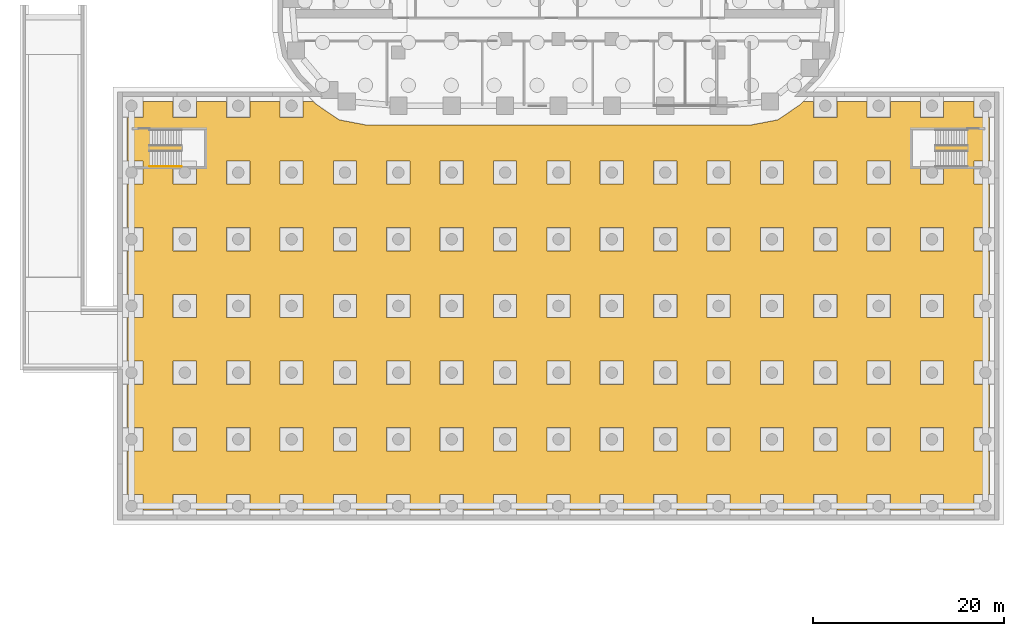
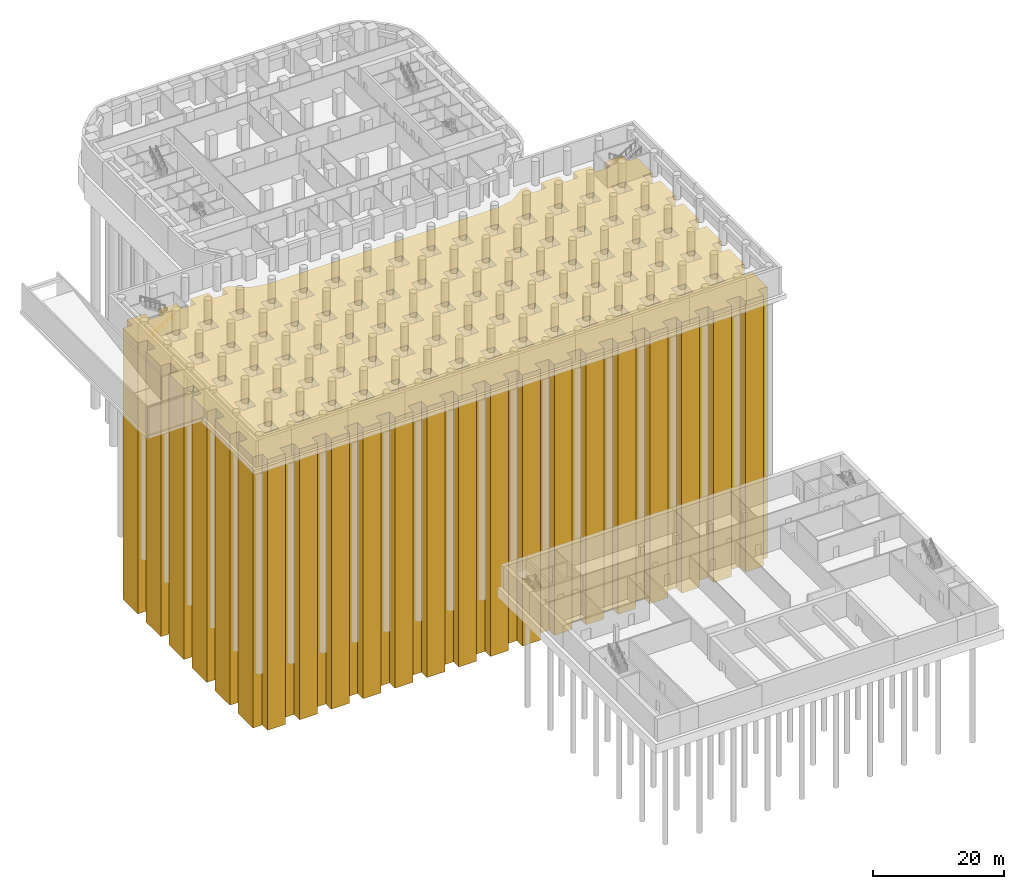
# One storey, part 18 of 23: 1 covering, 1 railing.
"""IFC4 building model written with IfcOpenShell, lengths in metres."""

from ifc_helpers import new_model, si_unit, direction, frame, origin, origin_2d, place, context, subcontext, project, spatial, polyline, circle, outline, extrude, material, layer, layer_set, type_object, element, save


model = new_model("IFC4")

# Units and contexts
model_context = context("Model", 3, precision=1e-05, world=origin(), true_north=direction((0.0, 1.0)))
body_context = subcontext(model_context, "Body", "Model", "MODEL_VIEW")
ifc_project = project(units=[si_unit("LENGTHUNIT", "METRE"), si_unit("AREAUNIT", "SQUARE_METRE"), si_unit("VOLUMEUNIT", "CUBIC_METRE"), si_unit("PLANEANGLEUNIT", "RADIAN"), si_unit("MASSUNIT", "GRAM", prefix="KILO")], contexts=[model_context])

# Site, building, storey
site_placement = place(None, origin())
site = spatial("IfcSite", under=ifc_project, at=site_placement, CompositionType="ELEMENT")
building_placement = place(site_placement, origin())
building = spatial("IfcBuilding", under=site, at=building_placement, Name="Kiln Ring Residences", CompositionType="ELEMENT")
storey_placement = place(building_placement, frame((0.0, 0.0, -4.5)))
storey = spatial("IfcBuildingStorey", under=building, at=storey_placement, Name="B1", CompositionType="ELEMENT", Elevation=-4.5)

# Covering
ifc_material_1 = material(Name="Compacted fill and subsoil")
ifc_layer = layer(ifc_material_1, 1.0)
ifc_layer_set = layer_set([ifc_layer], Name="COMPACTED FILL AND SUBSOIL")
covering_type = type_object("IfcCoveringType", Name="COMPACTED FILL AND SUBSOIL", PredefinedType="USERDEFINED", material=ifc_layer_set)
covering_placement = place(storey_placement, frame((0.0, 0.0, -50.85009765625)))
element("IfcCovering", 1, at=covering_placement, inside=storey, type_object=covering_type, Name="Compacted fill and subsoil", ObjectType="SITE GROUND", PredefinedType="USERDEFINED", context=body_context, shape_type="SweptSolid", body=[
    extrude(outline(polyline([(-37.97998046875, -63.179931640625), (-37.97998046875, -64.830078125), (-34.820068359375, -64.830078125), (-34.820068359375, -63.179931640625), (-32.3798828125, -63.179931640625), (-32.3798828125, -64.830078125), (-29.219970703125, -64.830078125), (-29.219970703125, -63.179931640625), (-26.780029296875, -63.179931640625), (-26.780029296875, -64.830078125), (-23.6201171875, -64.830078125), (-23.6201171875, -63.179931640625), (-21.179931640625, -63.179931640625), (-21.179931640625, -64.830078125), (-18.02001953125, -64.830078125), (-18.02001953125, -63.179931640625), (-15.580078125, -63.179931640625), (-15.580078125, -64.830078125), (-12.419921875, -64.830078125), (-12.419921875, -63.179931640625), (-9.97998046875, -63.179931640625), (-9.97998046875, -64.830078125), (-6.820068359375, -64.830078125), (-6.820068359375, -63.179931640625), (-4.3798828125, -63.179931640625), (-4.3798828125, -64.830078125), (-1.219970703125, -64.830078125), (-1.219970703125, -63.179931640625), (1.219970703125, -63.179931640625), (1.219970703125, -64.830078125), (4.3798828125, -64.830078125), (4.3798828125, -63.179931640625), (6.820068359375, -63.179931640625), (6.820068359375, -64.830078125), (9.97998046875, -64.830078125), (9.97998046875, -63.179931640625), (12.419921875, -63.179931640625), (12.419921875, -64.830078125), (15.580078125, -64.830078125), (15.580078125, -63.179931640625), (18.02001953125, -63.179931640625), (18.02001953125, -64.830078125), (21.179931640625, -64.830078125), (21.179931640625, -63.179931640625), (23.6201171875, -63.179931640625), (23.6201171875, -64.830078125), (26.780029296875, -64.830078125), (26.780029296875, -63.179931640625), (29.219970703125, -63.179931640625), (29.219970703125, -64.830078125), (32.3798828125, -64.830078125), (32.3798828125, -63.179931640625), (34.820068359375, -63.179931640625), (34.820068359375, -64.830078125), (37.97998046875, -64.830078125), (37.97998046875, -63.179931640625), (40.419921875, -63.179931640625), (40.419921875, -64.830078125), (43.580078125, -64.830078125), (43.580078125, -63.179931640625), (45.22998046875, -63.179931640625), (45.22998046875, -58.6201171875), (43.580078125, -58.6201171875), (43.580078125, -56.179931640625), (45.22998046875, -56.179931640625), (45.22998046875, -51.6201171875), (43.580078125, -51.6201171875), (43.580078125, -49.179931640625), (45.22998046875, -49.179931640625), (45.22998046875, -44.6201171875), (43.580078125, -44.6201171875), (43.580078125, -42.179931640625), (45.22998046875, -42.179931640625), (45.22998046875, -37.6201171875), (43.580078125, -37.6201171875), (43.580078125, -35.179931640625), (45.22998046875, -35.179931640625), (45.22998046875, -30.6201171875), (43.580078125, -30.6201171875), (43.580078125, -28.179931640625), (45.22998046875, -28.179931640625), (45.22998046875, -23.6201171875), (43.580078125, -23.6201171875), (43.580078125, -21.969970703125), (40.419921875, -21.969970703125), (40.419921875, -23.6201171875), (37.97998046875, -23.6201171875), (37.97998046875, -21.969970703125), (34.820068359375, -21.969970703125), (34.820068359375, -23.6201171875), (32.3798828125, -23.6201171875), (32.3798828125, -21.969970703125), (29.219970703125, -21.969970703125), (29.219970703125, -23.6201171875), (26.780029296875, -23.6201171875), (26.780029296875, -21.969970703125), (25.686767578125, -21.969970703125), (25.390380859375, -22.266357421875), (23.013671875, -23.881591796875), (20.19091796875, -24.419921875), (-20.19091796875, -24.419921875), (-23.013671875, -23.881591796875), (-25.390380859375, -22.266357421875), (-25.686767578125, -21.969970703125), (-26.780029296875, -21.969970703125), (-26.780029296875, -23.6201171875), (-29.219970703125, -23.6201171875), (-29.219970703125, -21.969970703125), (-32.3798828125, -21.969970703125), (-32.3798828125, -23.6201171875), (-34.820068359375, -23.6201171875), (-34.820068359375, -21.969970703125), (-37.97998046875, -21.969970703125), (-37.97998046875, -23.6201171875), (-40.419921875, -23.6201171875), (-40.419921875, -21.969970703125), (-43.580078125, -21.969970703125), (-43.580078125, -23.6201171875), (-45.22998046875, -23.6201171875), (-45.22998046875, -28.179931640625), (-43.580078125, -28.179931640625), (-43.580078125, -30.6201171875), (-45.22998046875, -30.6201171875), (-45.22998046875, -35.179931640625), (-43.580078125, -35.179931640625), (-43.580078125, -37.6201171875), (-45.22998046875, -37.6201171875), (-45.22998046875, -42.179931640625), (-43.580078125, -42.179931640625), (-43.580078125, -44.6201171875), (-45.22998046875, -44.6201171875), (-45.22998046875, -49.179931640625), (-43.580078125, -49.179931640625), (-43.580078125, -51.6201171875), (-45.22998046875, -51.6201171875), (-45.22998046875, -56.179931640625), (-43.580078125, -56.179931640625), (-43.580078125, -58.6201171875), (-45.22998046875, -58.6201171875), (-45.22998046875, -63.179931640625), (-43.580078125, -63.179931640625), (-43.580078125, -64.830078125), (-40.419921875, -64.830078125), (-40.419921875, -63.179931640625), (-37.97998046875, -63.179931640625)]), holes=[polyline([(-26.780029296875, -58.6201171875), (-29.219970703125, -58.6201171875), (-29.219970703125, -56.179931640625), (-26.780029296875, -56.179931640625), (-26.780029296875, -58.6201171875)]), polyline([(-37.97998046875, -56.179931640625), (-37.97998046875, -58.6201171875), (-40.419921875, -58.6201171875), (-40.419921875, -56.179931640625), (-37.97998046875, -56.179931640625)]), polyline([(-32.3798828125, -56.179931640625), (-32.3798828125, -58.6201171875), (-34.820068359375, -58.6201171875), (-34.820068359375, -56.179931640625), (-32.3798828125, -56.179931640625)]), polyline([(-32.3798828125, -49.179931640625), (-32.3798828125, -51.6201171875), (-34.820068359375, -51.6201171875), (-34.820068359375, -49.179931640625), (-32.3798828125, -49.179931640625)]), polyline([(-37.97998046875, -51.6201171875), (-40.419921875, -51.6201171875), (-40.419921875, -49.179931640625), (-37.97998046875, -49.179931640625), (-37.97998046875, -51.6201171875)]), polyline([(-32.3798828125, -42.179931640625), (-32.3798828125, -44.6201171875), (-34.820068359375, -44.6201171875), (-34.820068359375, -42.179931640625), (-32.3798828125, -42.179931640625)]), polyline([(-26.780029296875, -44.6201171875), (-29.219970703125, -44.6201171875), (-29.219970703125, -42.179931640625), (-26.780029296875, -42.179931640625), (-26.780029296875, -44.6201171875)]), polyline([(-37.97998046875, -44.6201171875), (-40.419921875, -44.6201171875), (-40.419921875, -42.179931640625), (-37.97998046875, -42.179931640625), (-37.97998046875, -44.6201171875)]), polyline([(-26.780029296875, -37.6201171875), (-29.219970703125, -37.6201171875), (-29.219970703125, -35.179931640625), (-26.780029296875, -35.179931640625), (-26.780029296875, -37.6201171875)]), polyline([(-37.97998046875, -37.6201171875), (-40.419921875, -37.6201171875), (-40.419921875, -35.179931640625), (-37.97998046875, -35.179931640625), (-37.97998046875, -37.6201171875)]), polyline([(-32.3798828125, -37.6201171875), (-34.820068359375, -37.6201171875), (-34.820068359375, -35.179931640625), (-32.3798828125, -35.179931640625), (-32.3798828125, -37.6201171875)]), polyline([(-32.3798828125, -28.179931640625), (-32.3798828125, -30.6201171875), (-34.820068359375, -30.6201171875), (-34.820068359375, -28.179931640625), (-32.3798828125, -28.179931640625)]), polyline([(-37.97998046875, -30.6201171875), (-40.419921875, -30.6201171875), (-40.419921875, -28.179931640625), (-37.97998046875, -28.179931640625), (-37.97998046875, -30.6201171875)]), polyline([(-26.780029296875, -30.6201171875), (-29.219970703125, -30.6201171875), (-29.219970703125, -28.179931640625), (-26.780029296875, -28.179931640625), (-26.780029296875, -30.6201171875)]), polyline([(-21.179931640625, -58.6201171875), (-23.6201171875, -58.6201171875), (-23.6201171875, -56.179931640625), (-21.179931640625, -56.179931640625), (-21.179931640625, -58.6201171875)]), polyline([(-26.780029296875, -49.179931640625), (-26.780029296875, -51.6201171875), (-29.219970703125, -51.6201171875), (-29.219970703125, -49.179931640625), (-26.780029296875, -49.179931640625)]), polyline([(-21.179931640625, -51.6201171875), (-23.6201171875, -51.6201171875), (-23.6201171875, -49.179931640625), (-21.179931640625, -49.179931640625), (-21.179931640625, -51.6201171875)]), polyline([(-21.179931640625, -42.179931640625), (-21.179931640625, -44.6201171875), (-23.6201171875, -44.6201171875), (-23.6201171875, -42.179931640625), (-21.179931640625, -42.179931640625)]), polyline([(-21.179931640625, -37.6201171875), (-23.6201171875, -37.6201171875), (-23.6201171875, -35.179931640625), (-21.179931640625, -35.179931640625), (-21.179931640625, -37.6201171875)]), polyline([(-15.580078125, -30.6201171875), (-18.02001953125, -30.6201171875), (-18.02001953125, -28.179931640625), (-15.580078125, -28.179931640625), (-15.580078125, -30.6201171875)]), polyline([(-21.179931640625, -30.6201171875), (-23.6201171875, -30.6201171875), (-23.6201171875, -28.179931640625), (-21.179931640625, -28.179931640625), (-21.179931640625, -30.6201171875)]), polyline([(-15.580078125, -58.6201171875), (-18.02001953125, -58.6201171875), (-18.02001953125, -56.179931640625), (-15.580078125, -56.179931640625), (-15.580078125, -58.6201171875)]), polyline([(-9.97998046875, -56.179931640625), (-9.97998046875, -58.6201171875), (-12.419921875, -58.6201171875), (-12.419921875, -56.179931640625), (-9.97998046875, -56.179931640625)]), polyline([(-9.97998046875, -51.6201171875), (-12.419921875, -51.6201171875), (-12.419921875, -49.179931640625), (-9.97998046875, -49.179931640625), (-9.97998046875, -51.6201171875)]), polyline([(-15.580078125, -51.6201171875), (-18.02001953125, -51.6201171875), (-18.02001953125, -49.179931640625), (-15.580078125, -49.179931640625), (-15.580078125, -51.6201171875)]), polyline([(-15.580078125, -44.6201171875), (-18.02001953125, -44.6201171875), (-18.02001953125, -42.179931640625), (-15.580078125, -42.179931640625), (-15.580078125, -44.6201171875)]), polyline([(-9.97998046875, -44.6201171875), (-12.419921875, -44.6201171875), (-12.419921875, -42.179931640625), (-9.97998046875, -42.179931640625), (-9.97998046875, -44.6201171875)]), polyline([(-4.3798828125, -44.6201171875), (-6.820068359375, -44.6201171875), (-6.820068359375, -42.179931640625), (-4.3798828125, -42.179931640625), (-4.3798828125, -44.6201171875)]), polyline([(-9.97998046875, -37.6201171875), (-12.419921875, -37.6201171875), (-12.419921875, -35.179931640625), (-9.97998046875, -35.179931640625), (-9.97998046875, -37.6201171875)]), polyline([(-15.580078125, -37.6201171875), (-18.02001953125, -37.6201171875), (-18.02001953125, -35.179931640625), (-15.580078125, -35.179931640625), (-15.580078125, -37.6201171875)]), polyline([(-9.97998046875, -28.179931640625), (-9.97998046875, -30.6201171875), (-12.419921875, -30.6201171875), (-12.419921875, -28.179931640625), (-9.97998046875, -28.179931640625)]), polyline([(-4.3798828125, -58.6201171875), (-6.820068359375, -58.6201171875), (-6.820068359375, -56.179931640625), (-4.3798828125, -56.179931640625), (-4.3798828125, -58.6201171875)]), polyline([(1.219970703125, -58.6201171875), (-1.219970703125, -58.6201171875), (-1.219970703125, -56.179931640625), (1.219970703125, -56.179931640625), (1.219970703125, -58.6201171875)]), polyline([(1.219970703125, -51.6201171875), (-1.219970703125, -51.6201171875), (-1.219970703125, -49.179931640625), (1.219970703125, -49.179931640625), (1.219970703125, -51.6201171875)]), polyline([(-4.3798828125, -51.6201171875), (-6.820068359375, -51.6201171875), (-6.820068359375, -49.179931640625), (-4.3798828125, -49.179931640625), (-4.3798828125, -51.6201171875)]), polyline([(1.219970703125, -42.179931640625), (1.219970703125, -44.6201171875), (-1.219970703125, -44.6201171875), (-1.219970703125, -42.179931640625), (1.219970703125, -42.179931640625)]), polyline([(6.820068359375, -35.179931640625), (6.820068359375, -37.6201171875), (4.3798828125, -37.6201171875), (4.3798828125, -35.179931640625), (6.820068359375, -35.179931640625)]), polyline([(-4.3798828125, -37.6201171875), (-6.820068359375, -37.6201171875), (-6.820068359375, -35.179931640625), (-4.3798828125, -35.179931640625), (-4.3798828125, -37.6201171875)]), polyline([(1.219970703125, -35.179931640625), (1.219970703125, -37.6201171875), (-1.219970703125, -37.6201171875), (-1.219970703125, -35.179931640625), (1.219970703125, -35.179931640625)]), polyline([(1.219970703125, -30.6201171875), (-1.219970703125, -30.6201171875), (-1.219970703125, -28.179931640625), (1.219970703125, -28.179931640625), (1.219970703125, -30.6201171875)]), polyline([(6.820068359375, -28.179931640625), (6.820068359375, -30.6201171875), (4.3798828125, -30.6201171875), (4.3798828125, -28.179931640625), (6.820068359375, -28.179931640625)]), polyline([(-4.3798828125, -30.6201171875), (-6.820068359375, -30.6201171875), (-6.820068359375, -28.179931640625), (-4.3798828125, -28.179931640625), (-4.3798828125, -30.6201171875)]), polyline([(12.419921875, -58.6201171875), (9.97998046875, -58.6201171875), (9.97998046875, -56.179931640625), (12.419921875, -56.179931640625), (12.419921875, -58.6201171875)]), polyline([(18.02001953125, -56.179931640625), (18.02001953125, -58.6201171875), (15.580078125, -58.6201171875), (15.580078125, -56.179931640625), (18.02001953125, -56.179931640625)]), polyline([(6.820068359375, -58.6201171875), (4.3798828125, -58.6201171875), (4.3798828125, -56.179931640625), (6.820068359375, -56.179931640625), (6.820068359375, -58.6201171875)]), polyline([(12.419921875, -51.6201171875), (9.97998046875, -51.6201171875), (9.97998046875, -49.179931640625), (12.419921875, -49.179931640625), (12.419921875, -51.6201171875)]), polyline([(6.820068359375, -51.6201171875), (4.3798828125, -51.6201171875), (4.3798828125, -49.179931640625), (6.820068359375, -49.179931640625), (6.820068359375, -51.6201171875)]), polyline([(18.02001953125, -44.6201171875), (15.580078125, -44.6201171875), (15.580078125, -42.179931640625), (18.02001953125, -42.179931640625), (18.02001953125, -44.6201171875)]), polyline([(12.419921875, -44.6201171875), (9.97998046875, -44.6201171875), (9.97998046875, -42.179931640625), (12.419921875, -42.179931640625), (12.419921875, -44.6201171875)]), polyline([(6.820068359375, -44.6201171875), (4.3798828125, -44.6201171875), (4.3798828125, -42.179931640625), (6.820068359375, -42.179931640625), (6.820068359375, -44.6201171875)]), polyline([(18.02001953125, -37.6201171875), (15.580078125, -37.6201171875), (15.580078125, -35.179931640625), (18.02001953125, -35.179931640625), (18.02001953125, -37.6201171875)]), polyline([(12.419921875, -37.6201171875), (9.97998046875, -37.6201171875), (9.97998046875, -35.179931640625), (12.419921875, -35.179931640625), (12.419921875, -37.6201171875)]), polyline([(12.419921875, -28.179931640625), (12.419921875, -30.6201171875), (9.97998046875, -30.6201171875), (9.97998046875, -28.179931640625), (12.419921875, -28.179931640625)]), polyline([(18.02001953125, -30.6201171875), (15.580078125, -30.6201171875), (15.580078125, -28.179931640625), (18.02001953125, -28.179931640625), (18.02001953125, -30.6201171875)]), polyline([(23.6201171875, -58.6201171875), (21.179931640625, -58.6201171875), (21.179931640625, -56.179931640625), (23.6201171875, -56.179931640625), (23.6201171875, -58.6201171875)]), polyline([(18.02001953125, -49.179931640625), (18.02001953125, -51.6201171875), (15.580078125, -51.6201171875), (15.580078125, -49.179931640625), (18.02001953125, -49.179931640625)]), polyline([(23.6201171875, -51.6201171875), (21.179931640625, -51.6201171875), (21.179931640625, -49.179931640625), (23.6201171875, -49.179931640625), (23.6201171875, -51.6201171875)]), polyline([(23.6201171875, -44.6201171875), (21.179931640625, -44.6201171875), (21.179931640625, -42.179931640625), (23.6201171875, -42.179931640625), (23.6201171875, -44.6201171875)]), polyline([(23.6201171875, -37.6201171875), (21.179931640625, -37.6201171875), (21.179931640625, -35.179931640625), (23.6201171875, -35.179931640625), (23.6201171875, -37.6201171875)]), polyline([(23.6201171875, -28.179931640625), (23.6201171875, -30.6201171875), (21.179931640625, -30.6201171875), (21.179931640625, -28.179931640625), (23.6201171875, -28.179931640625)]), polyline([(34.820068359375, -56.179931640625), (34.820068359375, -58.6201171875), (32.3798828125, -58.6201171875), (32.3798828125, -56.179931640625), (34.820068359375, -56.179931640625)]), polyline([(29.219970703125, -58.6201171875), (26.780029296875, -58.6201171875), (26.780029296875, -56.179931640625), (29.219970703125, -56.179931640625), (29.219970703125, -58.6201171875)]), polyline([(40.419921875, -58.6201171875), (37.97998046875, -58.6201171875), (37.97998046875, -56.179931640625), (40.419921875, -56.179931640625), (40.419921875, -58.6201171875)]), polyline([(29.219970703125, -49.179931640625), (29.219970703125, -51.6201171875), (26.780029296875, -51.6201171875), (26.780029296875, -49.179931640625), (29.219970703125, -49.179931640625)]), polyline([(40.419921875, -51.6201171875), (37.97998046875, -51.6201171875), (37.97998046875, -49.179931640625), (40.419921875, -49.179931640625), (40.419921875, -51.6201171875)]), polyline([(34.820068359375, -51.6201171875), (32.3798828125, -51.6201171875), (32.3798828125, -49.179931640625), (34.820068359375, -49.179931640625), (34.820068359375, -51.6201171875)]), polyline([(29.219970703125, -44.6201171875), (26.780029296875, -44.6201171875), (26.780029296875, -42.179931640625), (29.219970703125, -42.179931640625), (29.219970703125, -44.6201171875)]), polyline([(40.419921875, -44.6201171875), (37.97998046875, -44.6201171875), (37.97998046875, -42.179931640625), (40.419921875, -42.179931640625), (40.419921875, -44.6201171875)]), polyline([(34.820068359375, -44.6201171875), (32.3798828125, -44.6201171875), (32.3798828125, -42.179931640625), (34.820068359375, -42.179931640625), (34.820068359375, -44.6201171875)]), polyline([(29.219970703125, -35.179931640625), (29.219970703125, -37.6201171875), (26.780029296875, -37.6201171875), (26.780029296875, -35.179931640625), (29.219970703125, -35.179931640625)]), polyline([(40.419921875, -37.6201171875), (37.97998046875, -37.6201171875), (37.97998046875, -35.179931640625), (40.419921875, -35.179931640625), (40.419921875, -37.6201171875)]), polyline([(34.820068359375, -37.6201171875), (32.3798828125, -37.6201171875), (32.3798828125, -35.179931640625), (34.820068359375, -35.179931640625), (34.820068359375, -37.6201171875)]), polyline([(29.219970703125, -30.6201171875), (26.780029296875, -30.6201171875), (26.780029296875, -28.179931640625), (29.219970703125, -28.179931640625), (29.219970703125, -30.6201171875)]), polyline([(40.419921875, -30.6201171875), (37.97998046875, -30.6201171875), (37.97998046875, -28.179931640625), (40.419921875, -28.179931640625), (40.419921875, -30.6201171875)]), polyline([(34.820068359375, -30.6201171875), (32.3798828125, -30.6201171875), (32.3798828125, -28.179931640625), (34.820068359375, -28.179931640625), (34.820068359375, -30.6201171875)])]), origin(), (0.0, 0.0, 1.0), 50.35009765625),
])

# Railing
ifc_material_2 = material(Name="Stainless steel", Category="steel")
railing_type = type_object("IfcRailingType", Name="PODIUM-STAIR-HANDRAIL", PredefinedType="HANDRAIL", material=ifc_material_2)
railing_placement = place(storey_placement, frame((-42.89990234375, -28.75, 0.173095703125)))
element("IfcRailing", 2, at=railing_placement, inside=storey, type_object=railing_type, Name="B1 PS-W stair handrail 1", PredefinedType="HANDRAIL", context=body_context, shape_type="SweptSolid", body=[
    extrude(circle(Radius=0.02392578125, at=origin_2d()), frame((0.0, 0.0, 0.8759765625), z_axis=(0.850606129759, 0.0, 0.525803396734), x_axis=(0.0, 1.0, 0.0)), (0.0, 0.0, 1.0), 3.949951171875),
    extrude(circle(Radius=0.02099609375, at=origin_2d()), origin(), (0.0, 0.0, 1.0), 0.851806640625),
    extrude(circle(Radius=0.02099609375, at=origin_2d()), frame((0.83984375, 0.0, 0.519287109375)), (0.0, 0.0, 1.0), 0.851806640625),
    extrude(circle(Radius=0.02099609375, at=origin_2d()), frame((1.679931640625, 0.0, 1.03857421875)), (0.0, 0.0, 1.0), 0.851806640625),
    extrude(circle(Radius=0.02099609375, at=origin_2d()), frame((2.52001953125, 0.0, 1.5576171875)), (0.0, 0.0, 1.0), 0.851806640625),
    extrude(circle(Radius=0.02099609375, at=origin_2d()), frame((3.35986328125, 0.0, 2.076904296875)), (0.0, 0.0, 1.0), 0.851806640625),
])

save(model, "model.ifc")
